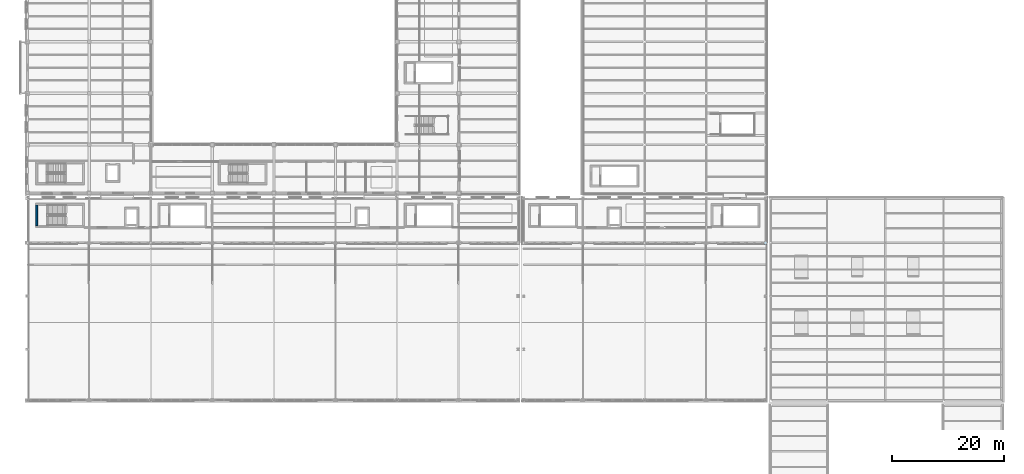
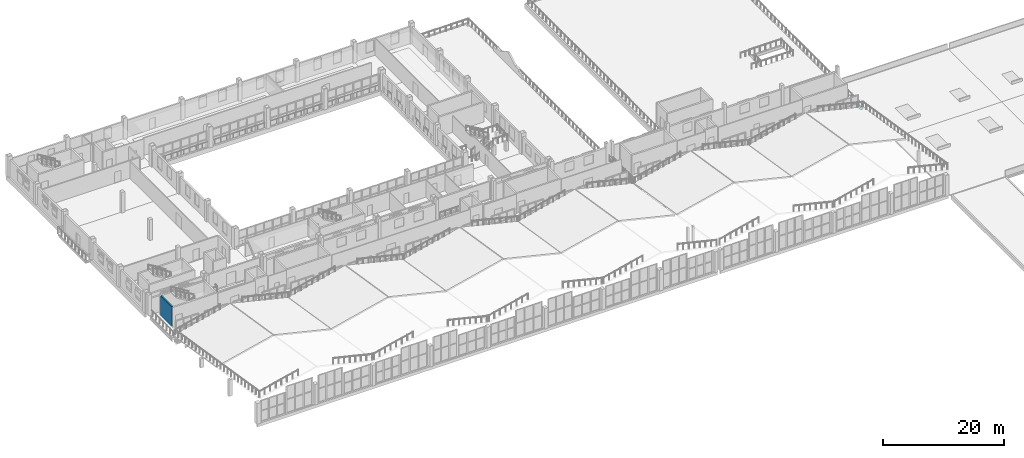
# One storey, part 93 of 120: 1 plate, 1 wall.
"""IFC4 building model written with IfcOpenShell, lengths in metres."""

from ifc_helpers import new_model, si_unit, direction, frame, frame_2d, origin, origin_2d, place, context, subcontext, project, spatial, rectangle, extrude, material, layer, layer_set, type_object, element, save


model = new_model("IFC4")

# Units and contexts
model_context = context("Model", 3, precision=1e-05, world=origin(), true_north=direction((0.0, 1.0)))
body_context = subcontext(model_context, "Body", "Model", "MODEL_VIEW")
ifc_project = project(units=[si_unit("LENGTHUNIT", "METRE"), si_unit("AREAUNIT", "SQUARE_METRE"), si_unit("VOLUMEUNIT", "CUBIC_METRE"), si_unit("PLANEANGLEUNIT", "RADIAN"), si_unit("MASSUNIT", "GRAM", prefix="KILO")], contexts=[model_context])

# Site, building, storey
site_placement = place(None, origin())
site = spatial("IfcSite", under=ifc_project, at=site_placement, CompositionType="ELEMENT")
building_placement = place(site_placement, origin())
building = spatial("IfcBuilding", under=site, at=building_placement, Name="Caurita Quay Ferry Terminal", CompositionType="ELEMENT")
storey_placement = place(building_placement, frame((0.0, 0.0, 9.89990234375)))
storey = spatial("IfcBuildingStorey", under=building, at=storey_placement, Name="L02", CompositionType="ELEMENT", Elevation=9.89990234375)

# Plate
ifc_material_1 = material(Name="Structural plate steel ASTM A572 Gr. 50", Category="steel")
ifc_layer_1 = layer(ifc_material_1, 0.031982421875, Name="Structural steel connection plate 32 mm")
ifc_layer_set_1 = layer_set([ifc_layer_1], Name="Structural plate steel ASTM A572 Gr. 50")
plate_type = type_object("IfcPlateType", Name="PLT-STL-32", PredefinedType="USERDEFINED", material=ifc_layer_set_1)
plate_placement = place(storey_placement, frame((131.800048828125, 62.699951171875, 0.37890625), z_axis=(0.0, 0.0, 1.0), x_axis=(1.0, 0.0, 0.0)))
element("IfcPlate", 1, at=plate_placement, inside=storey, type_object=plate_type, Name="Mast Top Cap Plate V2-05-N", ObjectType="GUSSET PLATE", PredefinedType="USERDEFINED", context=body_context, shape_type="SweptSolid", body=[
    extrude(rectangle(XDim=0.5400390625, YDim=0.5400390625, at=origin_2d()), origin(), (0.0, 0.0, 1.0), 0.031982421875),
])

# Wall
ifc_material_2 = material(Name="Reinforced concrete C35/45", Category="concrete")
ifc_layer_2 = layer(ifc_material_2, 0.300048828125, Name="Interior shear wall 300 mm")
ifc_layer_set_2 = layer_set([ifc_layer_2], Name="Reinforced concrete C35/45")
wall_type = type_object("IfcWallType", Name="WL-CORE-300", PredefinedType="SHEAR", material=ifc_layer_set_2)
wall_placement = place(storey_placement, frame((1.64990234375, 69.4599609375, 0.0), z_axis=(0.0, 0.0, 1.0), x_axis=(0.0, -1.0, 0.0)))
element("IfcWall", 2, at=wall_placement, inside=storey, type_object=wall_type, Name="L02 ST-05 Core Wall West", PredefinedType="SHEAR", context=body_context, shape_type="SweptSolid", body=[
    extrude(rectangle(XDim=3.659912109375, YDim=0.300048828125, at=frame_2d((1.830078125, 0.0))), origin(), (0.0, 0.0, 1.0), 3.97998046875),
])

save(model, "model.ifc")
